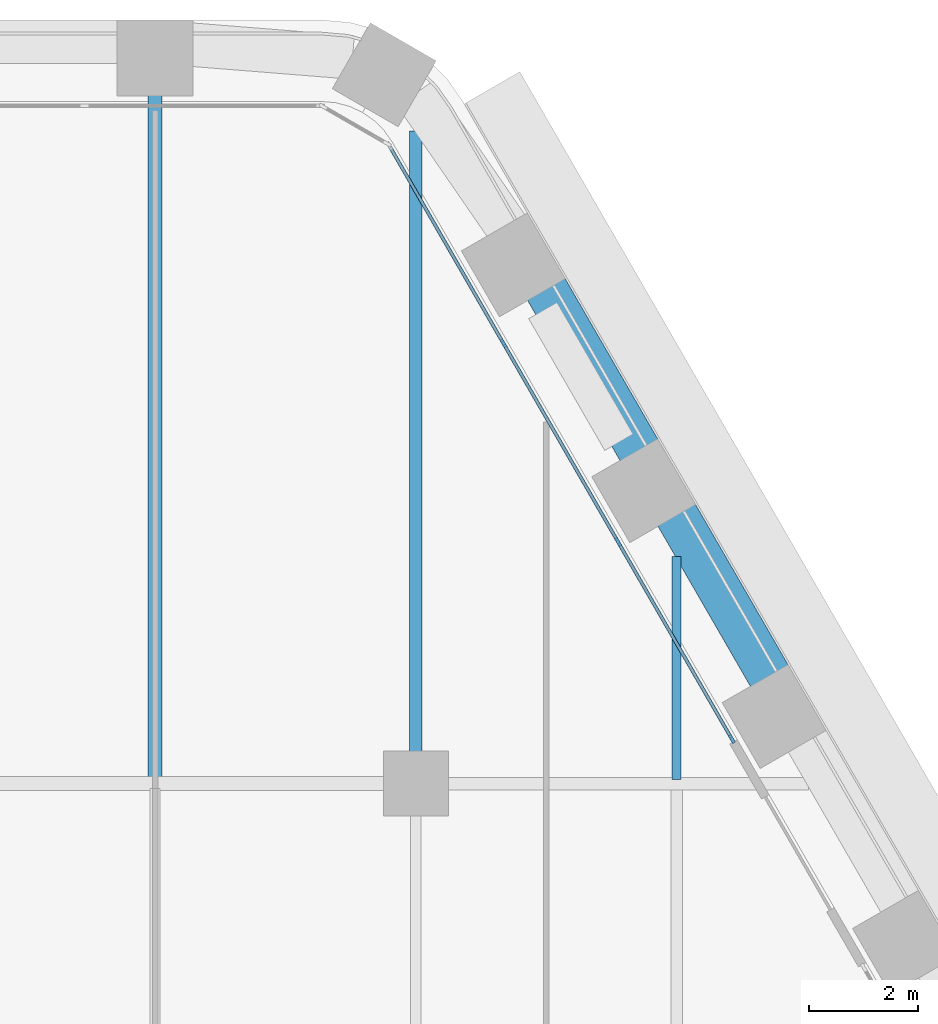
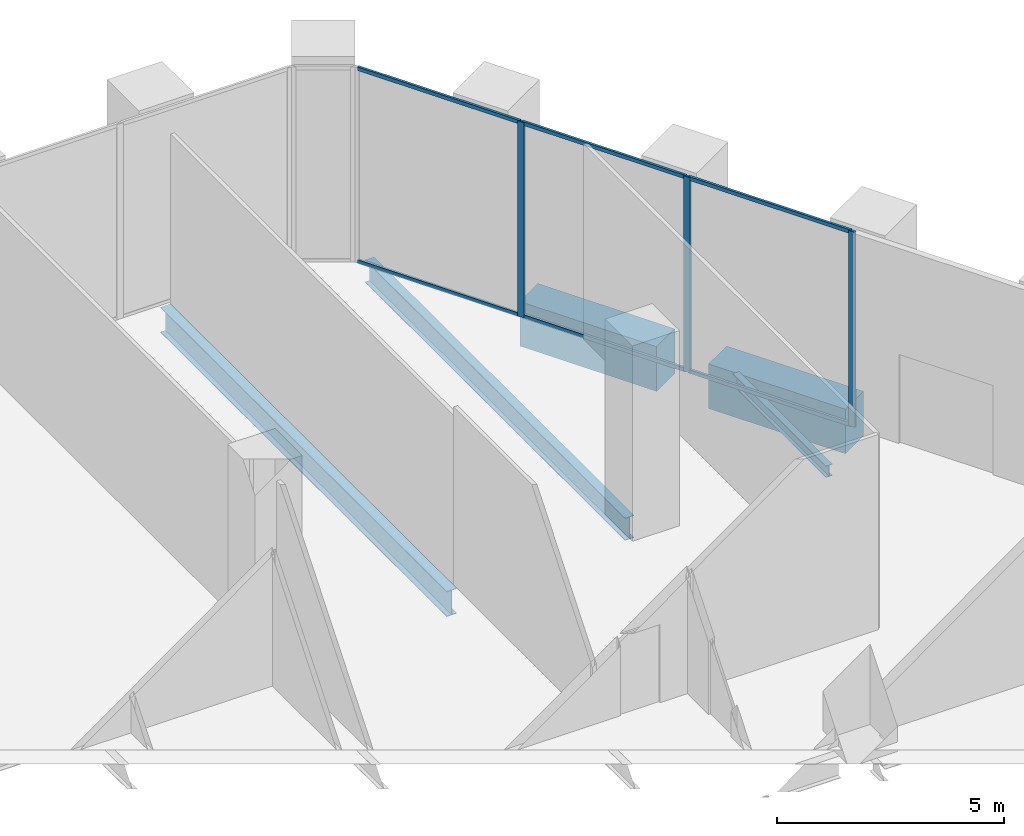
# One storey, part 10 of 27: 9 members, 5 beams, 1 element without a shape of its own.
"""IFC4 building model written with IfcOpenShell, lengths in metres."""

import ifcopenshell
import ifcopenshell.guid

model = None  # the IFC model being written
_history = None  # IfcOwnerHistory: only IFC2X3 demands one
_inside = {}  # id of a spatial element -> (the spatial element, [elements in it])
_under = {}  # id of a project, library or spatial element -> (it, [spatial elements below it])
_declared = {}  # id of a project -> (the project, [libraries it declares])
_typed = {}  # id of a type object -> (the type object, [elements of that type])
_made_of = {}  # id of a material, layer set ... -> (it, [elements and type objects made of it])


def new_model(schema):
    """Start an empty IFC model of exactly this schema.

    Asked for "IFC4X3", IfcOpenShell would pick the latest addendum, in which some entities
    have other attributes; the version numbers below select the first issue.
    IFC2X3 requires an IfcOwnerHistory on every rooted entity: one is made here for all.
    """
    global model, _history
    if schema == "IFC4X3":
        model = ifcopenshell.file(schema_version=(4, 3, 0, 0))
    else:
        model = ifcopenshell.file(schema=schema)
    _inside.clear()
    _under.clear()
    _declared.clear()
    _typed.clear()
    _made_of.clear()
    _history = None
    if model.schema == "IFC2X3":
        org = make("IfcOrganization", Name="unknown")
        user = make(
            "IfcPersonAndOrganization",
            ThePerson=make("IfcPerson", FamilyName="unknown"),
            TheOrganization=org,
        )
        app = make(
            "IfcApplication",
            ApplicationDeveloper=org,
            Version="unknown",
            ApplicationFullName="unknown",
            ApplicationIdentifier="unknown",
        )
        _history = make(
            "IfcOwnerHistory",
            OwningUser=user,
            OwningApplication=app,
            ChangeAction="ADDED",
            CreationDate=0,
        )
    return model


def make(cls, **values):
    """One entity of the class cls with the attributes given. An attribute that is None is left unset."""
    return model.create_entity(
        cls, **{name: value for name, value in values.items() if value is not None}
    )


def rooted(cls, **values):
    """An entity with a GlobalId (a new one), such as an element, a storey or a relation."""
    return make(cls, GlobalId=ifcopenshell.guid.new(), OwnerHistory=_history, **values)


def si_unit(unit_type, name, prefix=None):
    """IfcSIUnit, for example si_unit("LENGTHUNIT", "METRE", prefix="MILLI")."""
    return make("IfcSIUnit", UnitType=unit_type, Prefix=prefix, Name=name)


def assignment(units):
    """IfcUnitAssignment: the units of a project."""
    return None if units is None else make("IfcUnitAssignment", Units=units)


def point(xyz):
    """IfcCartesianPoint."""
    return None if xyz is None else make("IfcCartesianPoint", Coordinates=xyz)


def direction(xyz):
    """IfcDirection."""
    return None if xyz is None else make("IfcDirection", DirectionRatios=xyz)


def frame(location, z_axis=None, x_axis=None):
    """IfcAxis2Placement3D, a coordinate frame: its origin and axes. An axis left out is left unset."""
    return make(
        "IfcAxis2Placement3D",
        Location=point(location),
        Axis=direction(z_axis),
        RefDirection=direction(x_axis),
    )


def frame_2d(location, x_axis=None):
    """IfcAxis2Placement2D, a coordinate frame in the plane: its origin and x axis."""
    return make(
        "IfcAxis2Placement2D", Location=point(location), RefDirection=direction(x_axis)
    )


def origin():
    """The frame at (0, 0, 0) with its axes left unset."""
    return frame((0.0, 0.0, 0.0))


def origin_2d():
    """The frame at (0, 0) in the plane with its x axis left unset."""
    return frame_2d((0.0, 0.0))


def place(relative_to, where):
    """IfcLocalPlacement: puts the frame where relative to a parent placement (None: the world)."""
    return make(
        "IfcLocalPlacement", PlacementRelTo=relative_to, RelativePlacement=where
    )


def context(
    kind, dimensions, precision=None, world=None, true_north=None, identifier=None
):
    """IfcGeometricRepresentationContext, for example the 3D "Model" context."""
    return make(
        "IfcGeometricRepresentationContext",
        ContextIdentifier=identifier,
        ContextType=kind,
        CoordinateSpaceDimension=dimensions,
        Precision=precision,
        WorldCoordinateSystem=world,
        TrueNorth=true_north,
    )


def subcontext(parent, identifier, kind, view, scale=None):
    """IfcGeometricRepresentationSubContext, for example "Body" below "Model"."""
    return make(
        "IfcGeometricRepresentationSubContext",
        ContextIdentifier=identifier,
        ContextType=kind,
        ParentContext=parent,
        TargetScale=scale,
        TargetView=view,
    )


def project(units=None, contexts=None):
    """IfcProject with its units and contexts."""
    return rooted(
        "IfcProject",
        Name="project",
        RepresentationContexts=contexts,
        UnitsInContext=assignment(units),
    )


def spatial(cls, under=None, at=None, **own):
    """A site, building, storey or space (cls), placed at a placement, below another one or the project."""
    s = rooted(cls, ObjectPlacement=at, **own)
    if under is not None:
        _under.setdefault(under.id(), (under, []))[1].append(s)
    return s


def profile(cls, at=None, kind="AREA", **sizes):
    """A parametric profile (cls). Its sizes go by their IFC names, for example OverallWidth=200.0."""
    return make(cls, ProfileType=kind, Position=at, **sizes)


def rectangle(**sizes):
    """IfcRectangleProfileDef."""
    return profile("IfcRectangleProfileDef", **sizes)


def i_section(**sizes):
    """IfcIShapeProfileDef."""
    return profile("IfcIShapeProfileDef", **sizes)


def extrude(swept, where, along, depth):
    """IfcExtrudedAreaSolid: the profile swept, set in the frame where, extruded along a direction by depth."""
    return make(
        "IfcExtrudedAreaSolid",
        SweptArea=swept,
        Position=where,
        ExtrudedDirection=direction(along),
        Depth=depth,
    )


def shape(context_of_items, identifier, shape_type, items):
    """IfcShapeRepresentation: the items that make up one representation, for example the "Body"."""
    return make(
        "IfcShapeRepresentation",
        ContextOfItems=context_of_items,
        RepresentationIdentifier=identifier,
        RepresentationType=shape_type,
        Items=items,
    )


def material(Name=None, Category=None):
    """IfcMaterial."""
    return make("IfcMaterial", Name=Name, Category=Category)


def material_profile(
    of_material, cross_section, Name=None, Category=None, Priority=None
):
    """IfcMaterialProfile: a cross section and its material."""
    return make(
        "IfcMaterialProfile",
        Name=Name,
        Material=of_material,
        Profile=cross_section,
        Priority=Priority,
        Category=Category,
    )


def profile_set(profiles, Name=None, composite=None):
    """IfcMaterialProfileSet."""
    return make(
        "IfcMaterialProfileSet",
        Name=Name,
        MaterialProfiles=profiles,
        CompositeProfile=composite,
    )


def made_of(thing, what):
    """Note that an element or type object is made of a material, layer set ...; save() writes the relation."""
    if what is not None:
        _made_of.setdefault(what.id(), (what, []))[1].append(thing)
    return thing


def type_object(cls, material=None, **own):
    """A type object (cls), such as IfcWallType, which elements share."""
    return made_of(rooted(cls, **own), material)


def element(
    cls,
    number,
    at=None,
    inside=None,
    cuts=None,
    type_object=None,
    material=None,
    context=None,
    identifier="Body",
    shape_type=None,
    held_by="IfcProductDefinitionShape",
    body=None,
    shapes=None,
    **own,
):
    """One element of the class cls, such as IfcWall. Its Tag is "e" and its number.

    at: its placement. inside: the storey or other place that contains it. cuts: it is an
    opening in that element (IfcRelVoidsElement). A single representation is given by context,
    identifier, shape_type and body (its items); several are given by shapes. held_by: the class
    of the entity that holds the representations. save() writes the other relations.
    """
    e = rooted(cls, Tag="e%d" % number, ObjectPlacement=at, **own)
    if body is not None:
        shapes = [shape(context, identifier, shape_type, body)]
    if shapes is not None:
        e.Representation = make(held_by, Representations=shapes)
    if inside is not None:
        _inside.setdefault(inside.id(), (inside, []))[1].append(e)
    if cuts is not None:
        rooted(
            "IfcRelVoidsElement", RelatingBuildingElement=cuts, RelatedOpeningElement=e
        )
    if type_object is not None:
        _typed.setdefault(type_object.id(), (type_object, []))[1].append(e)
    return made_of(e, material)


def aggregate(whole, parts):
    """IfcRelAggregates: a whole, such as a stair, and the parts it consists of."""
    return rooted("IfcRelAggregates", RelatingObject=whole, RelatedObjects=parts)


def save(model, path):
    """Write the relations noted so far, then the file.

    IfcRelAggregates (storeys below a building ...), IfcRelContainedInSpatialStructure (elements
    in a storey), IfcRelDefinesByType, IfcRelAssociatesMaterial and IfcRelDeclares: one each for
    every whole, place, type object, material and project.
    """
    for whole, parts in _under.values():
        aggregate(whole, parts)
    for where, things in _inside.values():
        rooted(
            "IfcRelContainedInSpatialStructure",
            RelatedElements=things,
            RelatingStructure=where,
        )
    for kind, things in _typed.values():
        rooted("IfcRelDefinesByType", RelatedObjects=things, RelatingType=kind)
    for what, things in _made_of.values():
        rooted("IfcRelAssociatesMaterial", RelatedObjects=things, RelatingMaterial=what)
    for by, libraries in _declared.values():
        rooted("IfcRelDeclares", RelatingContext=by, RelatedDefinitions=libraries)
    model.write(path)


model = new_model("IFC4")

# Units and contexts
model_context = context("Model", 3, precision=1e-05, world=origin(), true_north=direction((0.0, 1.0)))
body_context = subcontext(model_context, "Body", "Model", "MODEL_VIEW")
ifc_project = project(units=[si_unit("LENGTHUNIT", "METRE"), si_unit("AREAUNIT", "SQUARE_METRE"), si_unit("VOLUMEUNIT", "CUBIC_METRE"), si_unit("PLANEANGLEUNIT", "RADIAN"), si_unit("MASSUNIT", "GRAM", prefix="KILO")], contexts=[model_context])

# Site, building, storey
site_placement = place(None, origin())
site = spatial("IfcSite", under=ifc_project, at=site_placement, CompositionType="ELEMENT")
building_placement = place(site_placement, origin())
building = spatial("IfcBuilding", under=site, at=building_placement, Name="Kolab Exchange Tower", CompositionType="ELEMENT")
storey_placement = place(building_placement, frame((0.0, 0.0, 27.89990234375)))
storey = spatial("IfcBuildingStorey", under=building, at=storey_placement, Name="L05", CompositionType="ELEMENT", Elevation=27.89990234375)

# Beams
ifc_material_1 = material(Name="Steel S355", Category="steel")
ifc_material_profile_1 = material_profile(ifc_material_1, i_section(OverallWidth=0.1650390625, OverallDepth=0.31005859375, WebThickness=0.005859375, FlangeThickness=0.009765625, at=origin_2d()), Name="W310X39")
ifc_profile_set_1 = profile_set([ifc_material_profile_1], Name="Steel S355")
beam_type_1 = type_object("IfcBeamType", Name="FLOOR BEAM W310X39", PredefinedType="BEAM", material=ifc_profile_set_1)
beam_1_placement = place(storey_placement, frame((24.0, 19.27392578125, -0.40478515625), z_axis=(0.0, 1.0, 0.0), x_axis=(-1.0, 0.0, 0.0)))
element("IfcBeam", 1, at=beam_1_placement, inside=storey, type_object=beam_type_1, Name="beam/L05/fr/057", PredefinedType="BEAM", context=body_context, shape_type="SweptSolid", body=[
    extrude(i_section(OverallWidth=0.1650390625, OverallDepth=0.31005859375, WebThickness=0.005859375, FlangeThickness=0.009765625, at=origin_2d()), origin(), (0.0, 0.0, 1.0), 4.107666015625),
])
ifc_material_profile_2 = material_profile(ifc_material_1, i_section(OverallWidth=0.22802734375, OverallDepth=0.60791015625, WebThickness=0.01123046875, FlangeThickness=0.017333984375, at=origin_2d()), Name="W610X113")
ifc_profile_set_2 = profile_set([ifc_material_profile_2], Name="Steel S355")
beam_type_2 = type_object("IfcBeamType", Name="FLOOR BEAM W610X113", PredefinedType="BEAM", material=ifc_profile_set_2)
beam_2_placement = place(storey_placement, frame((19.199951171875, 19.760009765625, -0.553955078125), z_axis=(0.0, 1.0, 0.0), x_axis=(-1.0, 0.0, 0.0)))
element("IfcBeam", 2, at=beam_2_placement, inside=storey, type_object=beam_type_2, Name="beam/L05/fr/051", PredefinedType="BEAM", context=body_context, shape_type="SweptSolid", body=[
    extrude(i_section(OverallWidth=0.22802734375, OverallDepth=0.60791015625, WebThickness=0.01123046875, FlangeThickness=0.017333984375, at=origin_2d()), origin(), (0.0, 0.0, 1.0), 11.45458984375),
])
ifc_material_profile_3 = material_profile(ifc_material_1, i_section(OverallWidth=0.25390625, OverallDepth=0.68408203125, WebThickness=0.012451171875, FlangeThickness=0.018798828125, at=origin_2d()), Name="W690X140")
ifc_profile_set_3 = profile_set([ifc_material_profile_3], Name="Steel S355")
beam_type_3 = type_object("IfcBeamType", Name="FLOOR BEAM W690X140", PredefinedType="BEAM", material=ifc_profile_set_3)
beam_3_placement = place(storey_placement, frame((14.39990234375, 19.287109375, -0.591796875), z_axis=(0.0, 1.0, 0.0), x_axis=(-1.0, 0.0, 0.0)))
element("IfcBeam", 3, at=beam_3_placement, inside=storey, type_object=beam_type_3, Name="beam/L05/fr/045", PredefinedType="BEAM", context=body_context, shape_type="SweptSolid", body=[
    extrude(i_section(OverallWidth=0.25390625, OverallDepth=0.68408203125, WebThickness=0.012451171875, FlangeThickness=0.018798828125, at=origin_2d()), origin(), (0.0, 0.0, 1.0), 12.6083984375),
])
ifc_material_2 = material(Name="Concrete C80/95", Category="concrete")
ifc_material_profile_4 = material_profile(ifc_material_2, rectangle(XDim=0.800048828125, YDim=1.199951171875, at=origin_2d()), Name="RC800X1200")
ifc_profile_set_4 = profile_set([ifc_material_profile_4], Name="Concrete C80/95")
beam_type_4 = type_object("IfcBeamType", Name="SPANDREL BEAM 800X1200 C80/95", PredefinedType="BEAM", material=ifc_profile_set_4)
beam_4_placement = place(storey_placement, frame((21.58349609375, 28.326904296875, -0.849853515625), z_axis=(0.499979528911, -0.866037222451, 0.0), x_axis=(0.866037222451, 0.499979528911, 0.0)))
element("IfcBeam", 4, at=beam_4_placement, inside=storey, type_object=beam_type_4, Name="beam/L05/sp/F2-02", PredefinedType="BEAM", context=body_context, shape_type="SweptSolid", body=[
    extrude(rectangle(XDim=0.800048828125, YDim=1.199951171875, at=origin_2d()), origin(), (0.0, 0.0, 1.0), 3.480224609375),
])
beam_5_placement = place(storey_placement, frame((23.983642578125, 24.169921875, -0.849853515625), z_axis=(0.500009906705, -0.86601968407, 0.0), x_axis=(0.86601968407, 0.500009906705, 0.0)))
element("IfcBeam", 5, at=beam_5_placement, inside=storey, type_object=beam_type_4, Name="beam/L05/sp/F2-03", PredefinedType="BEAM", context=body_context, shape_type="SweptSolid", body=[
    extrude(rectangle(XDim=0.800048828125, YDim=1.199951171875, at=origin_2d()), origin(), (0.0, 0.0, 1.0), 3.47998046875),
])

# Curtain wall, members
ifc_material_3 = material(Name="Aluminium EN AW-6063 T6", Category="aluminium")
curtain_wall_type = type_object("IfcCurtainWallType", Name="UNITISED LOW ZONE CURTAIN WALL", PredefinedType="NOTDEFINED", material=ifc_material_3)
curtain_wall_placement = place(storey_placement, origin())
curtain_wall = element("IfcCurtainWall", 6, at=curtain_wall_placement, inside=storey, type_object=curtain_wall_type, Name="cw/L05/F2-1", PredefinedType="NOTDEFINED")
ifc_material_profile_5 = material_profile(ifc_material_3, rectangle(XDim=0.06005859375, YDim=0.159912109375, at=origin_2d()), Name="RECT 60X160")
ifc_profile_set_5 = profile_set([ifc_material_profile_5], Name="Aluminium EN AW-6063 T6")
member_type_1 = type_object("IfcMemberType", Name="UNITISED LOW ZONE MULLION 60 X 160", PredefinedType="MULLION", material=ifc_profile_set_5)
member_1_placement = place(storey_placement, frame((20.80908203125, 27.308349609375, 0.0), z_axis=(0.0, 0.0, 1.0), x_axis=(0.866025393644, 0.500000017564, 0.0)))
member_1 = element("IfcMember", 7, at=member_1_placement, type_object=member_type_1, Name="CW1 mullion 2", PredefinedType="MULLION", context=body_context, shape_type="SweptSolid", body=[
    extrude(rectangle(XDim=0.06005859375, YDim=0.159912109375, at=origin_2d()), origin(), (0.0, 0.0, 1.0), 5.25),
])
member_2_placement = place(storey_placement, frame((22.92041015625, 23.651611328125, 0.0), z_axis=(0.0, 0.0, 1.0), x_axis=(0.866025393644, 0.500000017564, 0.0)))
member_2 = element("IfcMember", 8, at=member_2_placement, type_object=member_type_1, Name="CW1 mullion 3", PredefinedType="MULLION", context=body_context, shape_type="SweptSolid", body=[
    extrude(rectangle(XDim=0.06005859375, YDim=0.159912109375, at=origin_2d()), origin(), (0.0, 0.0, 1.0), 5.25),
])
member_3_placement = place(storey_placement, frame((25.0166015625, 20.0205078125, 0.0), z_axis=(0.0, 0.0, 1.0), x_axis=(0.866025393644, 0.500000017564, 0.0)))
member_3 = element("IfcMember", 9, at=member_3_placement, type_object=member_type_1, Name="CW1 mullion 4", PredefinedType="MULLION", context=body_context, shape_type="SweptSolid", body=[
    extrude(rectangle(XDim=0.06005859375, YDim=0.159912109375, at=origin_2d()), origin(), (0.0, 0.0, 1.0), 5.25),
])
ifc_material_profile_6 = material_profile(ifc_material_3, rectangle(XDim=0.06005859375, YDim=0.10009765625, at=origin_2d()), Name="RECT 60X100")
ifc_profile_set_6 = profile_set([ifc_material_profile_6], Name="Aluminium EN AW-6063 T6")
member_type_2 = type_object("IfcMemberType", Name="UNITISED LOW ZONE TRANSOM 60 X 100", PredefinedType="USERDEFINED", material=ifc_profile_set_6)
member_4_placement = place(storey_placement, frame((18.727783203125, 30.913330078125, 0.030029296875), z_axis=(0.499983268986, -0.866035063224, 0.0), x_axis=(0.866035063224, 0.499983268986, 0.0)))
member_4 = element("IfcMember", 10, at=member_4_placement, type_object=member_type_2, Name="CW1 transom 1.1", ObjectType="TRANSOM", PredefinedType="USERDEFINED", context=body_context, shape_type="SweptSolid", body=[
    extrude(rectangle(XDim=0.06005859375, YDim=0.10009765625, at=origin_2d()), origin(), (0.0, 0.0, 1.0), 4.132568359375),
])
member_5_placement = place(storey_placement, frame((18.727783203125, 30.913330078125, 5.22021484375), z_axis=(0.499983268986, -0.866035063224, 0.0), x_axis=(0.866035063224, 0.499983268986, 0.0)))
member_5 = element("IfcMember", 11, at=member_5_placement, type_object=member_type_2, Name="CW1 transom 1.2", ObjectType="TRANSOM", PredefinedType="USERDEFINED", context=body_context, shape_type="SweptSolid", body=[
    extrude(rectangle(XDim=0.06005859375, YDim=0.10009765625, at=origin_2d()), origin(), (0.0, 0.0, 1.0), 4.132568359375),
])
member_6_placement = place(storey_placement, frame((20.823974609375, 27.282470703125, 0.030029296875), z_axis=(0.49999322259, -0.866029316688, 0.0), x_axis=(0.866029316688, 0.49999322259, 0.0)))
member_6 = element("IfcMember", 12, at=member_6_placement, type_object=member_type_2, Name="CW1 transom 2.1", ObjectType="TRANSOM", PredefinedType="USERDEFINED", context=body_context, shape_type="SweptSolid", body=[
    extrude(rectangle(XDim=0.06005859375, YDim=0.10009765625, at=origin_2d()), origin(), (0.0, 0.0, 1.0), 4.16259765625),
])
member_7_placement = place(storey_placement, frame((20.823974609375, 27.282470703125, 5.22021484375), z_axis=(0.49999322259, -0.866029316688, 0.0), x_axis=(0.866029316688, 0.49999322259, 0.0)))
member_7 = element("IfcMember", 13, at=member_7_placement, type_object=member_type_2, Name="CW1 transom 2.2", ObjectType="TRANSOM", PredefinedType="USERDEFINED", context=body_context, shape_type="SweptSolid", body=[
    extrude(rectangle(XDim=0.06005859375, YDim=0.10009765625, at=origin_2d()), origin(), (0.0, 0.0, 1.0), 4.16259765625),
])
member_8_placement = place(storey_placement, frame((22.935302734375, 23.62548828125, 0.030029296875), z_axis=(0.500027577057, -0.866009481578, 0.0), x_axis=(0.866009481578, 0.500027577057, 0.0)))
member_8 = element("IfcMember", 14, at=member_8_placement, type_object=member_type_2, Name="CW1 transom 3.1", ObjectType="TRANSOM", PredefinedType="USERDEFINED", context=body_context, shape_type="SweptSolid", body=[
    extrude(rectangle(XDim=0.06005859375, YDim=0.10009765625, at=origin_2d()), origin(), (0.0, 0.0, 1.0), 4.132568359375),
])
member_9_placement = place(storey_placement, frame((22.935302734375, 23.62548828125, 5.22021484375), z_axis=(0.500027577057, -0.866009481578, 0.0), x_axis=(0.866009481578, 0.500027577057, 0.0)))
member_9 = element("IfcMember", 15, at=member_9_placement, type_object=member_type_2, Name="CW1 transom 3.2", ObjectType="TRANSOM", PredefinedType="USERDEFINED", context=body_context, shape_type="SweptSolid", body=[
    extrude(rectangle(XDim=0.06005859375, YDim=0.10009765625, at=origin_2d()), origin(), (0.0, 0.0, 1.0), 4.132568359375),
])
aggregate(curtain_wall, [member_1, member_2, member_3, member_4, member_5, member_6, member_7, member_8, member_9])

save(model, "model.ifc")
